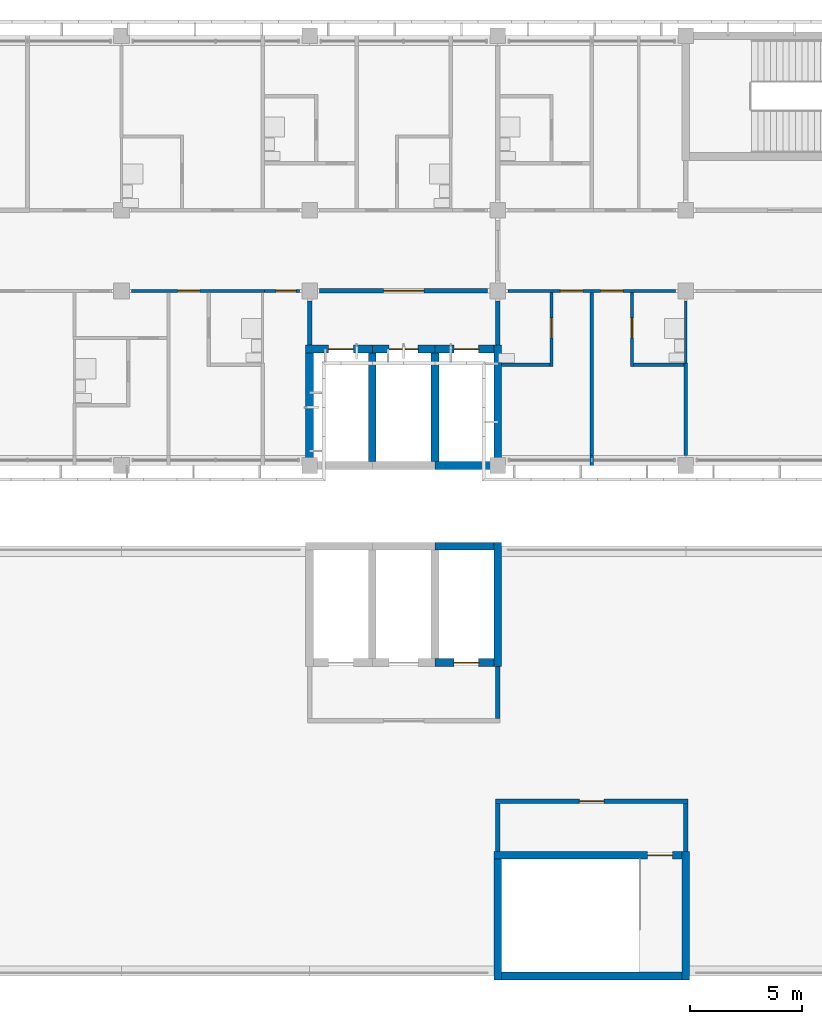
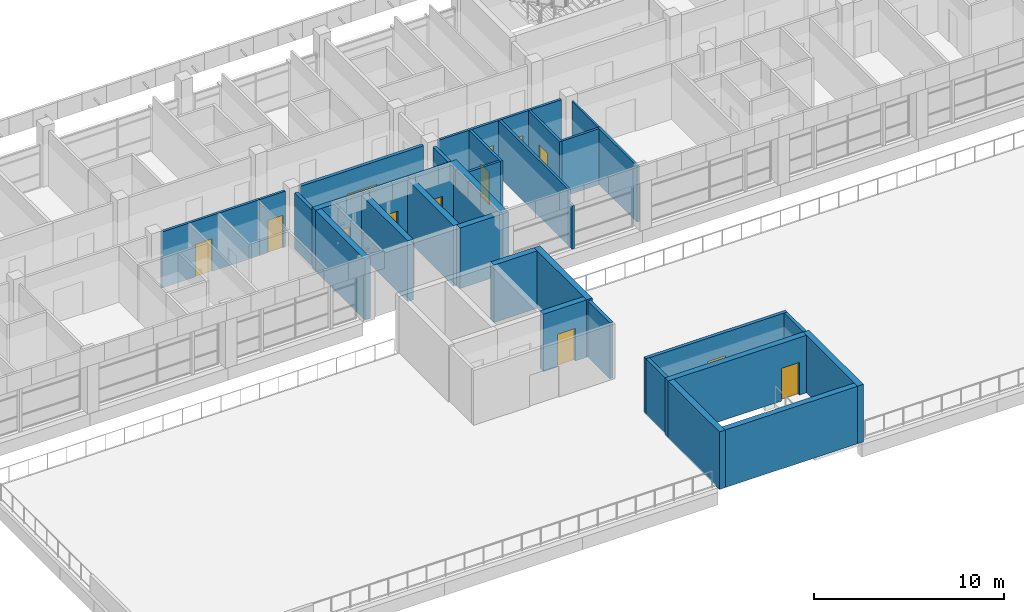
# One storey, part 19 of 46: 33 walls, 13 doors, 13 openings.
"""IFC4 building model written with IfcOpenShell, lengths in metres."""

from ifc_helpers import new_model, si_unit, direction, frame, frame_2d, origin, place, context, subcontext, project, spatial, rectangle, extrude, material, layer, layer_set, type_object, element, fill, save


model = new_model("IFC4")

# Units and contexts
model_context = context("Model", 3, precision=1e-05, world=origin(), true_north=direction((0.0, 1.0)))
body_context = subcontext(model_context, "Body", "Model", "MODEL_VIEW")
ifc_project = project(units=[si_unit("LENGTHUNIT", "METRE"), si_unit("AREAUNIT", "SQUARE_METRE"), si_unit("VOLUMEUNIT", "CUBIC_METRE"), si_unit("PLANEANGLEUNIT", "RADIAN"), si_unit("MASSUNIT", "GRAM", prefix="KILO")], contexts=[model_context])

# Site, building, storey
site_placement = place(None, origin())
site = spatial("IfcSite", under=ifc_project, at=site_placement, CompositionType="ELEMENT")
building_placement = place(site_placement, origin())
building = spatial("IfcBuilding", under=site, at=building_placement, Name="Bougainvillea Quay General Hospital", CompositionType="ELEMENT")
storey_placement = place(building_placement, frame((0.0, 0.0, 28.800048828125)))
storey = spatial("IfcBuildingStorey", under=building, at=storey_placement, Name="L06", CompositionType="ELEMENT", Elevation=28.800048828125)

# Walls
ifc_material_1 = material(Name="Gypsum board partition on steel studs", Category="steel")
ifc_layer_1 = layer(ifc_material_1, 0.10009765625)
ifc_layer_set_1 = layer_set([ifc_layer_1], Name="Gypsum board partition on steel studs")
wall_type_1 = type_object("IfcWallType", Name="Partition 100 Gypsum board partition", PredefinedType="PARTITIONING", material=ifc_layer_set_1)
wall_1_placement = place(storey_placement, frame((84.0, 144.97509765625, 0.0), z_axis=(0.0, 0.0, 1.0), x_axis=(0.0, 1.0, 0.0)))
element("IfcWall", 1, at=wall_1_placement, inside=storey, type_object=wall_type_1, Name="Partition 100 mm", PredefinedType="PARTITIONING", context=body_context, shape_type="SweptSolid", body=[
    extrude(rectangle(XDim=2.77490234375, YDim=0.10009765625, at=frame_2d((1.387451171875, 0.0))), origin(), (0.0, 0.0, 1.0), 3.599853515625),
])
ifc_material_2 = material(Name="Gypsum board partition on steel studs, insulated", Category="steel")
ifc_layer_2 = layer(ifc_material_2, 0.14990234375)
ifc_layer_set_2 = layer_set([ifc_layer_2], Name="Gypsum board partition on steel studs, insulated")
wall_type_2 = type_object("IfcWallType", Name="Partition 150 Gypsum board partition", PredefinedType="PARTITIONING", material=ifc_layer_set_2)
wall_2_placement = place(storey_placement, frame((79.800048828125, 140.39990234375, 0.0), z_axis=(0.0, 0.0, 1.0), x_axis=(0.0, 1.0, 0.0)))
element("IfcWall", 2, at=wall_2_placement, inside=storey, type_object=wall_type_2, Name="Partition 150 mm", PredefinedType="PARTITIONING", context=body_context, shape_type="SweptSolid", body=[
    extrude(rectangle(XDim=0.4501953125, YDim=0.14990234375, at=frame_2d((0.22509765625, 0.0))), origin(), (0.0, 0.0, 1.0), 2.780029296875),
])
wall_3_placement = place(storey_placement, frame((79.800048828125, 140.85009765625, 0.0), z_axis=(0.0, 0.0, 1.0), x_axis=(0.0, 1.0, 0.0)))
element("IfcWall", 3, at=wall_3_placement, inside=storey, type_object=wall_type_2, Name="Partition 150 mm", PredefinedType="PARTITIONING", context=body_context, shape_type="SweptSolid", body=[
    extrude(rectangle(XDim=7.27490234375, YDim=0.14990234375, at=frame_2d((3.637451171875, 0.0))), origin(), (0.0, 0.0, 1.0), 3.599853515625),
])
wall_4_placement = place(storey_placement, frame((84.0, 140.85009765625, 0.0), z_axis=(0.0, 0.0, 1.0), x_axis=(0.0, 1.0, 0.0)))
element("IfcWall", 4, at=wall_4_placement, inside=storey, type_object=wall_type_2, Name="Partition 150 mm", PredefinedType="PARTITIONING", context=body_context, shape_type="SweptSolid", body=[
    extrude(rectangle(XDim=4.125, YDim=0.14990234375, at=frame_2d((2.0625, 0.0))), origin(), (0.0, 0.0, 1.0), 3.599853515625),
])

# Wall, opening, door
wall_5_placement = place(storey_placement, frame((78.0, 144.824951171875, 0.0), z_axis=(0.0, 0.0, 1.0), x_axis=(0.0, 1.0, 0.0)))
wall_5 = element("IfcWall", 5, at=wall_5_placement, inside=storey, type_object=wall_type_2, Name="Partition 150 mm", PredefinedType="PARTITIONING", context=body_context, shape_type="SweptSolid", body=[
    extrude(rectangle(XDim=3.300048828125, YDim=0.14990234375, at=frame_2d((1.64990234375, 0.0))), origin(), (0.0, 0.0, 1.0), 3.599853515625),
])
opening_1_placement = place(wall_5_placement, frame((1.27490234375, 0.0, 0.0)))
opening_1 = element("IfcOpeningElement", 6, at=opening_1_placement, cuts=wall_5, Name="Opening L06.025", PredefinedType="OPENING", context=body_context, shape_type="SweptSolid", body=[
    extrude(rectangle(XDim=0.89990234375, YDim=2.10009765625, at=frame_2d((0.449951171875, 1.050048828125))), frame((0.0, 0.0849609375, 0.0), z_axis=(0.0, -1.0, 0.0), x_axis=(1.0, 0.0, 0.0)), (0.0, 0.0, 1.0), 0.169921875),
])
ifc_material_3 = material(Name="Solid-core timber door leaf in steel frame", Category="steel")
door_type_1 = type_object("IfcDoorType", Name="Single leaf door 900x2100", OperationType="NOTDEFINED", PredefinedType="DOOR", material=ifc_material_3)
door_1_placement = place(opening_1_placement, origin())
door_1 = element("IfcDoor", 7, at=door_1_placement, inside=storey, type_object=door_type_1, Name="DT07 L06.025", OperationType="SINGLE_SWING_RIGHT", OverallHeight=2.10009765625, OverallWidth=0.89990234375, PredefinedType="DOOR", context=body_context, shape_type="SweptSolid", body=[
    extrude(rectangle(XDim=0.89990234375, YDim=2.10009765625, at=frame_2d((0.449951171875, 1.050048828125))), frame((0.0, 0.02490234375, 0.0), z_axis=(0.0, -1.0, 0.0), x_axis=(1.0, 0.0, 0.0)), (0.0, 0.0, 1.0), 0.050048828125),
])
fill(opening_1, door_1)

wall_6_placement = place(storey_placement, frame((81.60009765625, 144.824951171875, 0.0), z_axis=(0.0, 0.0, 1.0), x_axis=(0.0, 1.0, 0.0)))
wall_6 = element("IfcWall", 8, at=wall_6_placement, inside=storey, type_object=wall_type_2, Name="Partition 150 mm", PredefinedType="PARTITIONING", context=body_context, shape_type="SweptSolid", body=[
    extrude(rectangle(XDim=3.300048828125, YDim=0.14990234375, at=frame_2d((1.64990234375, 0.0))), origin(), (0.0, 0.0, 1.0), 3.599853515625),
])
opening_2_placement = place(wall_6_placement, frame((1.27490234375, 0.0, 0.0)))
opening_2 = element("IfcOpeningElement", 9, at=opening_2_placement, cuts=wall_6, Name="Opening L06.027", PredefinedType="OPENING", context=body_context, shape_type="SweptSolid", body=[
    extrude(rectangle(XDim=0.89990234375, YDim=2.10009765625, at=frame_2d((0.449951171875, 1.050048828125))), frame((0.0, 0.0849609375, 0.0), z_axis=(0.0, -1.0, 0.0), x_axis=(1.0, 0.0, 0.0)), (0.0, 0.0, 1.0), 0.169921875),
])
door_2_placement = place(opening_2_placement, frame((0.89990234375, 0.0, 0.0), z_axis=(0.0, 0.0, 1.0), x_axis=(-1.0, 0.0, 0.0)))
door_2 = element("IfcDoor", 10, at=door_2_placement, inside=storey, type_object=door_type_1, Name="DT07 L06.027", OperationType="SINGLE_SWING_LEFT", OverallHeight=2.10009765625, OverallWidth=0.89990234375, PredefinedType="DOOR", context=body_context, shape_type="SweptSolid", body=[
    extrude(rectangle(XDim=0.89990234375, YDim=2.10009765625, at=frame_2d((0.449951171875, 1.050048828125))), frame((0.0, 0.02490234375, 0.0), z_axis=(0.0, -1.0, 0.0), x_axis=(1.0, 0.0, 0.0)), (0.0, 0.0, 1.0), 0.050048828125),
])
fill(opening_2, door_2)

# Walls
wall_7_placement = place(storey_placement, frame((75.77490234375, 144.89990234375, 0.0), z_axis=(0.0, 0.0, 1.0), x_axis=(1.0, 0.0, 0.0)))
element("IfcWall", 11, at=wall_7_placement, inside=storey, type_object=wall_type_2, Name="Partition 150 mm", PredefinedType="PARTITIONING", context=body_context, shape_type="SweptSolid", body=[
    extrude(rectangle(XDim=2.150146484375, YDim=0.14990234375, at=frame_2d((1.0751953125, 0.0))), origin(), (0.0, 0.0, 1.0), 3.599853515625),
])
wall_8_placement = place(storey_placement, frame((81.675048828125, 144.89990234375, 0.0), z_axis=(0.0, 0.0, 1.0), x_axis=(1.0, 0.0, 0.0)))
element("IfcWall", 12, at=wall_8_placement, inside=storey, type_object=wall_type_2, Name="Partition 150 mm", PredefinedType="PARTITIONING", context=body_context, shape_type="SweptSolid", body=[
    extrude(rectangle(XDim=2.25, YDim=0.14990234375, at=frame_2d((1.125, 0.0))), origin(), (0.0, 0.0, 1.0), 3.599853515625),
])

# Wall, openings, doors
ifc_layer_3 = layer(ifc_material_2, 0.14990234375)
ifc_layer_set_3 = layer_set([ifc_layer_3], Name="Gypsum board partition on steel studs, insulated")
wall_type_3 = type_object("IfcWallType", Name="Partition 150 Gypsum board partition EI 30", PredefinedType="PARTITIONING", material=ifc_layer_set_3)
wall_9_placement = place(storey_placement, frame((83.550048828125, 148.199951171875, 0.0), z_axis=(0.0, 0.0, 1.0), x_axis=(-1.0, 0.0, 0.0)))
wall_9 = element("IfcWall", 13, at=wall_9_placement, inside=storey, type_object=wall_type_3, Name="Partition 150 mm EI 30", PredefinedType="PARTITIONING", context=body_context, shape_type="SweptSolid", body=[
    extrude(rectangle(XDim=7.5, YDim=0.14990234375, at=frame_2d((3.75, 0.0))), origin(), (0.0, 0.0, 1.0), 3.599853515625),
])
opening_3_placement = place(wall_9_placement, frame((4.14990234375, 0.0, 0.0)))
opening_3 = element("IfcOpeningElement", 14, at=opening_3_placement, cuts=wall_9, Name="Opening L06.024", PredefinedType="OPENING", context=body_context, shape_type="SweptSolid", body=[
    extrude(rectangle(XDim=1.0, YDim=2.10009765625, at=frame_2d((0.5, 1.050048828125))), frame((0.0, 0.0849609375, 0.0), z_axis=(0.0, -1.0, 0.0), x_axis=(1.0, 0.0, 0.0)), (0.0, 0.0, 1.0), 0.169921875),
])
opening_4_placement = place(wall_9_placement, frame((2.35009765625, 0.0, 0.0)))
opening_4 = element("IfcOpeningElement", 15, at=opening_4_placement, cuts=wall_9, Name="Opening L06.026", PredefinedType="OPENING", context=body_context, shape_type="SweptSolid", body=[
    extrude(rectangle(XDim=1.0, YDim=2.10009765625, at=frame_2d((0.5, 1.050048828125))), frame((0.0, 0.0849609375, 0.0), z_axis=(0.0, -1.0, 0.0), x_axis=(1.0, 0.0, 0.0)), (0.0, 0.0, 1.0), 0.169921875),
])
door_type_2 = type_object("IfcDoorType", Name="Single leaf door 1000x2100 FD30S", OperationType="NOTDEFINED", PredefinedType="DOOR", material=ifc_material_3)
door_3_placement = place(opening_3_placement, origin())
door_3 = element("IfcDoor", 16, at=door_3_placement, inside=storey, type_object=door_type_2, Name="DT15 L06.024", OperationType="SINGLE_SWING_RIGHT", OverallHeight=2.10009765625, OverallWidth=1.0, PredefinedType="DOOR", context=body_context, shape_type="SweptSolid", body=[
    extrude(rectangle(XDim=1.0, YDim=2.10009765625, at=frame_2d((0.5, 1.050048828125))), frame((0.0, 0.02490234375, 0.0), z_axis=(0.0, -1.0, 0.0), x_axis=(1.0, 0.0, 0.0)), (0.0, 0.0, 1.0), 0.050048828125),
])
fill(opening_3, door_3)
door_4_placement = place(opening_4_placement, origin())
door_4 = element("IfcDoor", 17, at=door_4_placement, inside=storey, type_object=door_type_2, Name="DT15 L06.026", OperationType="SINGLE_SWING_LEFT", OverallHeight=2.10009765625, OverallWidth=1.0, PredefinedType="DOOR", context=body_context, shape_type="SweptSolid", body=[
    extrude(rectangle(XDim=1.0, YDim=2.10009765625, at=frame_2d((0.5, 1.050048828125))), frame((0.0, 0.02490234375, 0.0), z_axis=(0.0, -1.0, 0.0), x_axis=(1.0, 0.0, 0.0)), (0.0, 0.0, 1.0), 0.050048828125),
])
fill(opening_4, door_4)

# Wall, opening, door
wall_10_placement = place(storey_placement, frame((65.175048828125, 148.199951171875, 0.0), z_axis=(0.0, 0.0, 1.0), x_axis=(-1.0, 0.0, 0.0)))
wall_10 = element("IfcWall", 18, at=wall_10_placement, inside=storey, type_object=wall_type_3, Name="Partition 150 mm EI 30", PredefinedType="PARTITIONING", context=body_context, shape_type="SweptSolid", body=[
    extrude(rectangle(XDim=5.925048828125, YDim=0.14990234375, at=frame_2d((2.96240234375, 0.0))), origin(), (0.0, 0.0, 1.0), 3.599853515625),
])
opening_5_placement = place(wall_10_placement, frame((2.875, 0.0, 0.0)))
opening_5 = element("IfcOpeningElement", 19, at=opening_5_placement, cuts=wall_10, Name="Opening L06.012", PredefinedType="OPENING", context=body_context, shape_type="SweptSolid", body=[
    extrude(rectangle(XDim=1.0, YDim=2.10009765625, at=frame_2d((0.5, 1.050048828125))), frame((0.0, 0.0849609375, 0.0), z_axis=(0.0, -1.0, 0.0), x_axis=(1.0, 0.0, 0.0)), (0.0, 0.0, 1.0), 0.169921875),
])
door_5_placement = place(opening_5_placement, origin())
door_5 = element("IfcDoor", 20, at=door_5_placement, inside=storey, type_object=door_type_2, Name="DT15 L06.012", OperationType="SINGLE_SWING_RIGHT", OverallHeight=2.10009765625, OverallWidth=1.0, PredefinedType="DOOR", context=body_context, shape_type="SweptSolid", body=[
    extrude(rectangle(XDim=1.0, YDim=2.10009765625, at=frame_2d((0.5, 1.050048828125))), frame((0.0, 0.02490234375, 0.0), z_axis=(0.0, -1.0, 0.0), x_axis=(1.0, 0.0, 0.0)), (0.0, 0.0, 1.0), 0.050048828125),
])
fill(opening_5, door_5)

ifc_layer_4 = layer(ifc_material_2, 0.14990234375)
ifc_layer_set_4 = layer_set([ifc_layer_4], Name="Gypsum board partition on steel studs, insulated")
wall_type_4 = type_object("IfcWallType", Name="Partition 150 Gypsum board partition EI 60", PredefinedType="PARTITIONING", material=ifc_layer_set_4)
wall_11_placement = place(storey_placement, frame((65.175048828125, 148.199951171875, 0.0), z_axis=(0.0, 0.0, 1.0), x_axis=(1.0, 0.0, 0.0)))
wall_11 = element("IfcWall", 21, at=wall_11_placement, inside=storey, type_object=wall_type_4, Name="Partition 150 mm EI 60", PredefinedType="PARTITIONING", context=body_context, shape_type="SweptSolid", body=[
    extrude(rectangle(XDim=1.574951171875, YDim=0.14990234375, at=frame_2d((0.78759765625, 0.0))), origin(), (0.0, 0.0, 1.0), 3.599853515625),
])
opening_6_placement = place(wall_11_placement, frame((0.52490234375, 0.0, 0.0)))
opening_6 = element("IfcOpeningElement", 22, at=opening_6_placement, cuts=wall_11, Name="Opening L06.014", PredefinedType="OPENING", context=body_context, shape_type="SweptSolid", body=[
    extrude(rectangle(XDim=0.89990234375, YDim=2.10009765625, at=frame_2d((0.449951171875, 1.050048828125))), frame((0.0, 0.0849609375, 0.0), z_axis=(0.0, -1.0, 0.0), x_axis=(1.0, 0.0, 0.0)), (0.0, 0.0, 1.0), 0.169921875),
])
door_type_3 = type_object("IfcDoorType", Name="Single leaf door 900x2100 FD60", OperationType="NOTDEFINED", PredefinedType="DOOR", material=ifc_material_3)
door_6_placement = place(opening_6_placement, frame((0.89990234375, 0.0, 0.0), z_axis=(0.0, 0.0, 1.0), x_axis=(-1.0, 0.0, 0.0)))
door_6 = element("IfcDoor", 23, at=door_6_placement, inside=storey, type_object=door_type_3, Name="DT18 L06.014", OperationType="SINGLE_SWING_LEFT", OverallHeight=2.10009765625, OverallWidth=0.89990234375, PredefinedType="DOOR", context=body_context, shape_type="SweptSolid", body=[
    extrude(rectangle(XDim=0.89990234375, YDim=2.10009765625, at=frame_2d((0.449951171875, 1.050048828125))), frame((0.0, 0.02490234375, 0.0), z_axis=(0.0, -1.0, 0.0), x_axis=(1.0, 0.0, 0.0)), (0.0, 0.0, 1.0), 0.050048828125),
])
fill(opening_6, door_6)

# Wall
ifc_material_4 = material(Name="Fire-rated autoclaved aerated block wall, plastered")
ifc_layer_5 = layer(ifc_material_4, 0.199951171875)
ifc_layer_set_5 = layer_set([ifc_layer_5], Name="Fire-rated autoclaved aerated block wall, plastered")
wall_type_5 = type_object("IfcWallType", Name="Partition 200 Fire-rated autoclaved aerated block wall EI 120", PredefinedType="SOLIDWALL", material=ifc_layer_set_5)
wall_12_placement = place(storey_placement, frame((75.60009765625, 147.75, 0.0), z_axis=(0.0, 0.0, 1.0), x_axis=(0.0, -1.0, 0.0)))
element("IfcWall", 24, at=wall_12_placement, inside=storey, type_object=wall_type_5, Name="Partition 200 mm EI 120", PredefinedType="SOLIDWALL", context=body_context, shape_type="SweptSolid", body=[
    extrude(rectangle(XDim=1.97509765625, YDim=0.199951171875, at=frame_2d((0.987548828125, 0.0))), origin(), (0.0, 0.0, 1.0), 3.599853515625),
])

# Wall, opening, door
wall_13_placement = place(storey_placement, frame((75.5, 125.39990234375, 0.0), z_axis=(0.0, 0.0, 1.0), x_axis=(1.0, 0.0, 0.0)))
wall_13 = element("IfcWall", 25, at=wall_13_placement, inside=storey, type_object=wall_type_5, Name="Partition 200 mm EI 120", PredefinedType="SOLIDWALL", context=body_context, shape_type="SweptSolid", body=[
    extrude(rectangle(XDim=8.60009765625, YDim=0.199951171875, at=frame_2d((4.300048828125, 0.0))), origin(), (0.0, 0.0, 1.0), 3.599853515625),
])
opening_7_placement = place(wall_13_placement, frame((3.75, 0.0, 0.0)))
opening_7 = element("IfcOpeningElement", 26, at=opening_7_placement, cuts=wall_13, Name="Opening L06.118", PredefinedType="OPENING", context=body_context, shape_type="SweptSolid", body=[
    extrude(rectangle(XDim=1.10009765625, YDim=2.10009765625, at=frame_2d((0.550048828125, 1.050048828125))), frame((0.0, 0.10986328125, 0.0), z_axis=(0.0, -1.0, 0.0), x_axis=(1.0, 0.0, 0.0)), (0.0, 0.0, 1.0), 0.219970703125),
])
ifc_material_5 = material(Name="Steel fire door leaf in steel frame", Category="steel")
door_type_4 = type_object("IfcDoorType", Name="Steel single leaf door 1100x2100 FD60", OperationType="NOTDEFINED", PredefinedType="DOOR", material=ifc_material_5)
door_7_placement = place(opening_7_placement, frame((1.10009765625, 0.0, 0.0), z_axis=(0.0, 0.0, 1.0), x_axis=(-1.0, 0.0, 0.0)))
door_7 = element("IfcDoor", 27, at=door_7_placement, inside=storey, type_object=door_type_4, Name="DT04 L06.118", OperationType="SINGLE_SWING_LEFT", OverallHeight=2.10009765625, OverallWidth=1.10009765625, PredefinedType="DOOR", context=body_context, shape_type="SweptSolid", body=[
    extrude(rectangle(XDim=1.10009765625, YDim=2.10009765625, at=frame_2d((0.550048828125, 1.050048828125))), frame((0.0, 0.02490234375, 0.0), z_axis=(0.0, -1.0, 0.0), x_axis=(1.0, 0.0, 0.0)), (0.0, 0.0, 1.0), 0.050048828125),
])
fill(opening_7, door_7)

wall_14_placement = place(storey_placement, frame((67.64990234375, 148.199951171875, 0.0), z_axis=(0.0, 0.0, 1.0), x_axis=(1.0, 0.0, 0.0)))
wall_14 = element("IfcWall", 28, at=wall_14_placement, inside=storey, type_object=wall_type_5, Name="Partition 200 mm EI 120", PredefinedType="SOLIDWALL", context=body_context, shape_type="SweptSolid", body=[
    extrude(rectangle(XDim=7.5, YDim=0.199951171875, at=frame_2d((3.75, 0.0))), origin(), (0.0, 0.0, 1.0), 3.599853515625),
])
opening_8_placement = place(wall_14_placement, frame((2.85009765625, 0.0, 0.0)))
opening_8 = element("IfcOpeningElement", 29, at=opening_8_placement, cuts=wall_14, Name="Opening L06.105", PredefinedType="OPENING", context=body_context, shape_type="SweptSolid", body=[
    extrude(rectangle(XDim=1.800048828125, YDim=2.10009765625, at=frame_2d((0.89990234375, 1.050048828125))), frame((0.0, 0.10986328125, 0.0), z_axis=(0.0, -1.0, 0.0), x_axis=(1.0, 0.0, 0.0)), (0.0, 0.0, 1.0), 0.219970703125),
])
ifc_material_6 = material(Name="Steel fire door leaves in steel frame", Category="steel")
door_type_5 = type_object("IfcDoorType", Name="Steel double leaf door 1800x2100 FD60", OperationType="DOUBLE_DOOR_SINGLE_SWING", PredefinedType="DOOR", material=ifc_material_6)
door_8_placement = place(opening_8_placement, frame((1.800048828125, 0.0, 0.0), z_axis=(0.0, 0.0, 1.0), x_axis=(-1.0, 0.0, 0.0)))
door_8 = element("IfcDoor", 30, at=door_8_placement, inside=storey, type_object=door_type_5, Name="DT05 L06.105", OperationType="DOUBLE_DOOR_SINGLE_SWING", OverallHeight=2.10009765625, OverallWidth=1.800048828125, PredefinedType="DOOR", context=body_context, shape_type="SweptSolid", body=[
    extrude(rectangle(XDim=1.800048828125, YDim=2.10009765625, at=frame_2d((0.89990234375, 1.050048828125))), frame((0.0, 0.02490234375, 0.0), z_axis=(0.0, -1.0, 0.0), x_axis=(1.0, 0.0, 0.0)), (0.0, 0.0, 1.0), 0.050048828125),
])
fill(opening_8, door_8)

# Walls
wall_15_placement = place(storey_placement, frame((67.199951171875, 145.77490234375, 0.0), z_axis=(0.0, 0.0, 1.0), x_axis=(0.0, 1.0, 0.0)))
element("IfcWall", 31, at=wall_15_placement, inside=storey, type_object=wall_type_5, Name="Partition 200 mm EI 120", PredefinedType="SOLIDWALL", context=body_context, shape_type="SweptSolid", body=[
    extrude(rectangle(XDim=1.97509765625, YDim=0.199951171875, at=frame_2d((0.987548828125, 0.0))), origin(), (0.0, 0.0, 1.0), 3.599853515625),
])
wall_16_placement = place(storey_placement, frame((75.60009765625, 129.10009765625, 0.0), z_axis=(0.0, 0.0, 1.0), x_axis=(0.0, 1.0, 0.0)))
element("IfcWall", 32, at=wall_16_placement, inside=storey, type_object=wall_type_5, Name="Partition 200 mm EI 120", PredefinedType="SOLIDWALL", context=body_context, shape_type="SweptSolid", body=[
    extrude(rectangle(XDim=2.324951171875, YDim=0.199951171875, at=frame_2d((1.16259765625, 0.0))), origin(), (0.0, 0.0, 1.0), 3.599853515625),
])
for number, where, z_axis, x_axis, name in (
    (33, (75.60009765625, 123.175048828125, 0.0), (0.0, 0.0, 1.0), (0.0, 1.0, 0.0), "Partition 200 mm EI 120"),
    (34, (84.0, 123.175048828125, 0.0), (0.0, 0.0, 1.0), (0.0, 1.0, 0.0), "Partition 200 mm EI 120"),
):
    element("IfcWall", number, at=place(storey_placement, frame(where, z_axis=z_axis, x_axis=x_axis)), inside=storey, type_object=wall_type_5, Name=name, PredefinedType="SOLIDWALL", context=body_context, shape_type="SweptSolid", body=[
        extrude(rectangle(XDim=2.125, YDim=0.199951171875, at=frame_2d((1.0625, 0.0))), origin(), (0.0, 0.0, 1.0), 3.599853515625),
    ])

# Wall, opening, door
ifc_material_7 = material(Name="Concrete C40", Category="concrete")
ifc_layer_6 = layer(ifc_material_7, 0.35009765625)
ifc_layer_set_6 = layer_set([ifc_layer_6], Name="Concrete C40")
wall_type_6 = type_object("IfcWallType", Name="RC SHEAR WALL 350 C40", PredefinedType="SHEAR", material=ifc_layer_set_6)
wall_17_placement = place(storey_placement, frame((67.02490234375, 145.60009765625, 0.0), z_axis=(0.0, 0.0, 1.0), x_axis=(1.0, 0.0, 0.0)))
wall_17 = element("IfcWall", 35, at=wall_17_placement, inside=storey, type_object=wall_type_6, Name="Shear wall L06", PredefinedType="SHEAR", context=body_context, shape_type="SweptSolid", body=[
    extrude(rectangle(XDim=2.97509765625, YDim=0.35009765625, at=frame_2d((1.487548828125, 0.0))), origin(), (0.0, 0.0, 1.0), 3.89990234375),
])
opening_9_placement = place(wall_17_placement, frame((1.02490234375, 0.0, 0.0)))
opening_9 = element("IfcOpeningElement", 36, at=opening_9_placement, cuts=wall_17, Name="Opening LD-A1.1-L06", PredefinedType="OPENING", context=body_context, shape_type="SweptSolid", body=[
    extrude(rectangle(XDim=1.10009765625, YDim=2.10009765625, at=frame_2d((0.550048828125, 1.050048828125))), frame((0.0, 0.18505859375, 0.0), z_axis=(0.0, -1.0, 0.0), x_axis=(1.0, 0.0, 0.0)), (0.0, 0.0, 1.0), 0.3701171875),
])
ifc_material_8 = material(Name="Stainless steel centre-opening landing door", Category="steel")
door_type_6 = type_object("IfcDoorType", Name="Lift landing door 1100x2100 E 120", OperationType="DOUBLE_DOOR_SLIDING", PredefinedType="DOOR", material=ifc_material_8)
door_9_placement = place(opening_9_placement, origin())
door_9 = element("IfcDoor", 37, at=door_9_placement, inside=storey, type_object=door_type_6, Name="Lift landing door LB-A1-1 L06", OperationType="DOUBLE_DOOR_SLIDING", OverallHeight=2.10009765625, OverallWidth=1.10009765625, PredefinedType="DOOR", context=body_context, shape_type="SweptSolid", body=[
    extrude(rectangle(XDim=1.10009765625, YDim=2.10009765625, at=frame_2d((0.550048828125, 1.050048828125))), frame((0.0, 0.02490234375, 0.0), z_axis=(0.0, -1.0, 0.0), x_axis=(1.0, 0.0, 0.0)), (0.0, 0.0, 1.0), 0.050048828125),
])
fill(opening_9, door_9)

# Walls
wall_18_placement = place(storey_placement, frame((67.199951171875, 140.22509765625, 0.0), z_axis=(0.0, 0.0, 1.0), x_axis=(0.0, 1.0, 0.0)))
element("IfcWall", 38, at=wall_18_placement, inside=storey, type_object=wall_type_6, Name="Shear wall L06", PredefinedType="SHEAR", context=body_context, shape_type="SweptSolid", body=[
    extrude(rectangle(XDim=5.199951171875, YDim=0.35009765625, at=frame_2d((2.60009765625, 0.0))), origin(), (0.0, 0.0, 1.0), 3.89990234375),
])
wall_19_placement = place(storey_placement, frame((70.0, 140.574951171875, 0.0), z_axis=(0.0, 0.0, 1.0), x_axis=(0.0, 1.0, 0.0)))
element("IfcWall", 39, at=wall_19_placement, inside=storey, type_object=wall_type_6, Name="Shear wall L06", PredefinedType="SHEAR", context=body_context, shape_type="SweptSolid", body=[
    extrude(rectangle(XDim=4.85009765625, YDim=0.35009765625, at=frame_2d((2.425048828125, 0.0))), origin(), (0.0, 0.0, 1.0), 3.89990234375),
])

# Wall, opening, door
wall_20_placement = place(storey_placement, frame((70.0, 145.60009765625, 0.0), z_axis=(0.0, 0.0, 1.0), x_axis=(1.0, 0.0, 0.0)))
wall_20 = element("IfcWall", 40, at=wall_20_placement, inside=storey, type_object=wall_type_6, Name="Shear wall L06", PredefinedType="SHEAR", context=body_context, shape_type="SweptSolid", body=[
    extrude(rectangle(XDim=2.800048828125, YDim=0.35009765625, at=frame_2d((1.39990234375, 0.0))), origin(), (0.0, 0.0, 1.0), 3.89990234375),
])
opening_10_placement = place(wall_20_placement, frame((0.75, 0.0, 0.0)))
opening_10 = element("IfcOpeningElement", 41, at=opening_10_placement, cuts=wall_20, Name="Opening LD-A1.2-L06", PredefinedType="OPENING", context=body_context, shape_type="SweptSolid", body=[
    extrude(rectangle(XDim=1.300048828125, YDim=2.10009765625, at=frame_2d((0.64990234375, 1.050048828125))), frame((0.0, 0.18505859375, 0.0), z_axis=(0.0, -1.0, 0.0), x_axis=(1.0, 0.0, 0.0)), (0.0, 0.0, 1.0), 0.3701171875),
])
door_type_7 = type_object("IfcDoorType", Name="Lift landing door 1300x2100 E 120", OperationType="DOUBLE_DOOR_SLIDING", PredefinedType="DOOR", material=ifc_material_8)
door_10_placement = place(opening_10_placement, origin())
door_10 = element("IfcDoor", 42, at=door_10_placement, inside=storey, type_object=door_type_7, Name="Lift landing door LB-A1-2 L06", OperationType="DOUBLE_DOOR_SLIDING", OverallHeight=2.10009765625, OverallWidth=1.300048828125, PredefinedType="DOOR", context=body_context, shape_type="SweptSolid", body=[
    extrude(rectangle(XDim=1.300048828125, YDim=2.10009765625, at=frame_2d((0.64990234375, 1.050048828125))), frame((0.0, 0.02490234375, 0.0), z_axis=(0.0, -1.0, 0.0), x_axis=(1.0, 0.0, 0.0)), (0.0, 0.0, 1.0), 0.050048828125),
])
fill(opening_10, door_10)

wall_21_placement = place(storey_placement, frame((72.800048828125, 131.60009765625, 0.0), z_axis=(0.0, 0.0, 1.0), x_axis=(1.0, 0.0, 0.0)))
wall_21 = element("IfcWall", 43, at=wall_21_placement, inside=storey, type_object=wall_type_6, Name="Shear wall L06", PredefinedType="SHEAR", context=body_context, shape_type="SweptSolid", body=[
    extrude(rectangle(XDim=2.625, YDim=0.35009765625, at=frame_2d((1.3125, 0.0))), origin(), (0.0, 0.0, 1.0), 3.699951171875),
])
opening_11_placement = place(wall_21_placement, frame((0.85009765625, 0.0, 0.0)))
opening_11 = element("IfcOpeningElement", 44, at=opening_11_placement, cuts=wall_21, Name="Opening LD-B1.3-L06", PredefinedType="OPENING", context=body_context, shape_type="SweptSolid", body=[
    extrude(rectangle(XDim=1.10009765625, YDim=2.10009765625, at=frame_2d((0.550048828125, 1.050048828125))), frame((0.0, 0.18505859375, 0.0), z_axis=(0.0, -1.0, 0.0), x_axis=(1.0, 0.0, 0.0)), (0.0, 0.0, 1.0), 0.3701171875),
])
door_11_placement = place(opening_11_placement, origin())
door_11 = element("IfcDoor", 45, at=door_11_placement, inside=storey, type_object=door_type_6, Name="Lift landing door LB-B1-3 L06", OperationType="DOUBLE_DOOR_SLIDING", OverallHeight=2.10009765625, OverallWidth=1.10009765625, PredefinedType="DOOR", context=body_context, shape_type="SweptSolid", body=[
    extrude(rectangle(XDim=1.10009765625, YDim=2.10009765625, at=frame_2d((0.550048828125, 1.050048828125))), frame((0.0, 0.02490234375, 0.0), z_axis=(0.0, -1.0, 0.0), x_axis=(1.0, 0.0, 0.0)), (0.0, 0.0, 1.0), 0.050048828125),
])
fill(opening_11, door_11)

# Walls
wall_22_placement = place(storey_placement, frame((72.800048828125, 136.800048828125, 0.0), z_axis=(0.0, 0.0, 1.0), x_axis=(1.0, 0.0, 0.0)))
element("IfcWall", 46, at=wall_22_placement, inside=storey, type_object=wall_type_6, Name="Shear wall L06", PredefinedType="SHEAR", context=body_context, shape_type="SweptSolid", body=[
    extrude(rectangle(XDim=2.625, YDim=0.35009765625, at=frame_2d((1.3125, 0.0))), origin(), (0.0, 0.0, 1.0), 3.699951171875),
])
wall_23_placement = place(storey_placement, frame((72.800048828125, 140.39990234375, 0.0), z_axis=(0.0, 0.0, 1.0), x_axis=(1.0, 0.0, 0.0)))
element("IfcWall", 47, at=wall_23_placement, inside=storey, type_object=wall_type_6, Name="Shear wall L06", PredefinedType="SHEAR", context=body_context, shape_type="SweptSolid", body=[
    extrude(rectangle(XDim=2.625, YDim=0.35009765625, at=frame_2d((1.3125, 0.0))), origin(), (0.0, 0.0, 1.0), 3.89990234375),
])
wall_24_placement = place(storey_placement, frame((72.800048828125, 140.574951171875, 0.0), z_axis=(0.0, 0.0, 1.0), x_axis=(0.0, 1.0, 0.0)))
element("IfcWall", 48, at=wall_24_placement, inside=storey, type_object=wall_type_6, Name="Shear wall L06", PredefinedType="SHEAR", context=body_context, shape_type="SweptSolid", body=[
    extrude(rectangle(XDim=4.85009765625, YDim=0.35009765625, at=frame_2d((2.425048828125, 0.0))), origin(), (0.0, 0.0, 1.0), 3.89990234375),
])

# Wall, opening, door
wall_25_placement = place(storey_placement, frame((72.800048828125, 145.60009765625, 0.0), z_axis=(0.0, 0.0, 1.0), x_axis=(1.0, 0.0, 0.0)))
wall_25 = element("IfcWall", 49, at=wall_25_placement, inside=storey, type_object=wall_type_6, Name="Shear wall L06", PredefinedType="SHEAR", context=body_context, shape_type="SweptSolid", body=[
    extrude(rectangle(XDim=2.625, YDim=0.35009765625, at=frame_2d((1.3125, 0.0))), origin(), (0.0, 0.0, 1.0), 3.89990234375),
])
opening_12_placement = place(wall_25_placement, frame((0.85009765625, 0.0, 0.0)))
opening_12 = element("IfcOpeningElement", 50, at=opening_12_placement, cuts=wall_25, Name="Opening LD-A1.3-L06", PredefinedType="OPENING", context=body_context, shape_type="SweptSolid", body=[
    extrude(rectangle(XDim=1.10009765625, YDim=2.10009765625, at=frame_2d((0.550048828125, 1.050048828125))), frame((0.0, 0.18505859375, 0.0), z_axis=(0.0, -1.0, 0.0), x_axis=(1.0, 0.0, 0.0)), (0.0, 0.0, 1.0), 0.3701171875),
])
door_12_placement = place(opening_12_placement, origin())
door_12 = element("IfcDoor", 51, at=door_12_placement, inside=storey, type_object=door_type_6, Name="Lift landing door LB-A1-3 L06", OperationType="DOUBLE_DOOR_SLIDING", OverallHeight=2.10009765625, OverallWidth=1.10009765625, PredefinedType="DOOR", context=body_context, shape_type="SweptSolid", body=[
    extrude(rectangle(XDim=1.10009765625, YDim=2.10009765625, at=frame_2d((0.550048828125, 1.050048828125))), frame((0.0, 0.02490234375, 0.0), z_axis=(0.0, -1.0, 0.0), x_axis=(1.0, 0.0, 0.0)), (0.0, 0.0, 1.0), 0.050048828125),
])
fill(opening_12, door_12)

wall_26_placement = place(storey_placement, frame((75.425048828125, 123.0, 0.0), z_axis=(0.0, 0.0, 1.0), x_axis=(1.0, 0.0, 0.0)))
wall_26 = element("IfcWall", 52, at=wall_26_placement, inside=storey, type_object=wall_type_6, Name="Shear wall L06", PredefinedType="SHEAR", context=body_context, shape_type="SweptSolid", body=[
    extrude(rectangle(XDim=8.39990234375, YDim=0.35009765625, at=frame_2d((4.199951171875, 0.0))), origin(), (0.0, 0.0, 1.0), 3.699951171875),
])
opening_13_placement = place(wall_26_placement, frame((6.875, 0.0, 0.0)))
opening_13 = element("IfcOpeningElement", 53, at=opening_13_placement, cuts=wall_26, Name="Opening L06.117", PredefinedType="OPENING", context=body_context, shape_type="SweptSolid", body=[
    extrude(rectangle(XDim=1.10009765625, YDim=2.10009765625, at=frame_2d((0.550048828125, 1.050048828125))), frame((0.0, 0.18505859375, 0.0), z_axis=(0.0, -1.0, 0.0), x_axis=(1.0, 0.0, 0.0)), (0.0, 0.0, 1.0), 0.3701171875),
])
door_13_placement = place(opening_13_placement, frame((1.10009765625, 0.0, 0.0), z_axis=(0.0, 0.0, 1.0), x_axis=(-1.0, 0.0, 0.0)))
door_13 = element("IfcDoor", 54, at=door_13_placement, inside=storey, type_object=door_type_4, Name="DT04 L06.117", OperationType="SINGLE_SWING_LEFT", OverallHeight=2.10009765625, OverallWidth=1.10009765625, PredefinedType="DOOR", context=body_context, shape_type="SweptSolid", body=[
    extrude(rectangle(XDim=1.10009765625, YDim=2.10009765625, at=frame_2d((0.550048828125, 1.050048828125))), frame((0.0, 0.02490234375, 0.0), z_axis=(0.0, -1.0, 0.0), x_axis=(1.0, 0.0, 0.0)), (0.0, 0.0, 1.0), 0.050048828125),
])
fill(opening_13, door_13)

# Walls
wall_27_placement = place(storey_placement, frame((75.60009765625, 117.425048828125, 0.0), z_axis=(0.0, 0.0, 1.0), x_axis=(0.0, 1.0, 0.0)))
element("IfcWall", 55, at=wall_27_placement, inside=storey, type_object=wall_type_6, Name="Shear wall L06", PredefinedType="SHEAR", context=body_context, shape_type="SweptSolid", body=[
    extrude(rectangle(XDim=5.39990234375, YDim=0.35009765625, at=frame_2d((2.699951171875, 0.0))), origin(), (0.0, 0.0, 1.0), 3.699951171875),
])
wall_28_placement = place(storey_placement, frame((75.60009765625, 131.425048828125, 0.0), z_axis=(0.0, 0.0, 1.0), x_axis=(0.0, 1.0, 0.0)))
element("IfcWall", 56, at=wall_28_placement, inside=storey, type_object=wall_type_6, Name="Shear wall L06", PredefinedType="SHEAR", context=body_context, shape_type="SweptSolid", body=[
    extrude(rectangle(XDim=5.550048828125, YDim=0.35009765625, at=frame_2d((2.77490234375, 0.0))), origin(), (0.0, 0.0, 1.0), 3.699951171875),
])
wall_29_placement = place(storey_placement, frame((75.60009765625, 140.22509765625, 0.0), z_axis=(0.0, 0.0, 1.0), x_axis=(0.0, 1.0, 0.0)))
element("IfcWall", 57, at=wall_29_placement, inside=storey, type_object=wall_type_6, Name="Shear wall L06", PredefinedType="SHEAR", context=body_context, shape_type="SweptSolid", body=[
    extrude(rectangle(XDim=5.5498046875, YDim=0.35009765625, at=frame_2d((2.77490234375, 0.0))), origin(), (0.0, 0.0, 1.0), 3.89990234375),
])
wall_30_placement = place(storey_placement, frame((75.77490234375, 117.60009765625, 0.0), z_axis=(0.0, 0.0, 1.0), x_axis=(1.0, 0.0, 0.0)))
element("IfcWall", 58, at=wall_30_placement, inside=storey, type_object=wall_type_6, Name="Shear wall L06", PredefinedType="SHEAR", context=body_context, shape_type="SweptSolid", body=[
    extrude(rectangle(XDim=8.050048828125, YDim=0.35009765625, at=frame_2d((4.02490234375, 0.0))), origin(), (0.0, 0.0, 1.0), 3.699951171875),
])
wall_31_placement = place(storey_placement, frame((84.0, 117.425048828125, 0.0), z_axis=(0.0, 0.0, 1.0), x_axis=(0.0, 1.0, 0.0)))
element("IfcWall", 59, at=wall_31_placement, inside=storey, type_object=wall_type_6, Name="Shear wall L06", PredefinedType="SHEAR", context=body_context, shape_type="SweptSolid", body=[
    extrude(rectangle(XDim=5.75, YDim=0.35009765625, at=frame_2d((2.875, 0.0))), origin(), (0.0, 0.0, 1.0), 3.699951171875),
])

save(model, "model.ifc")
